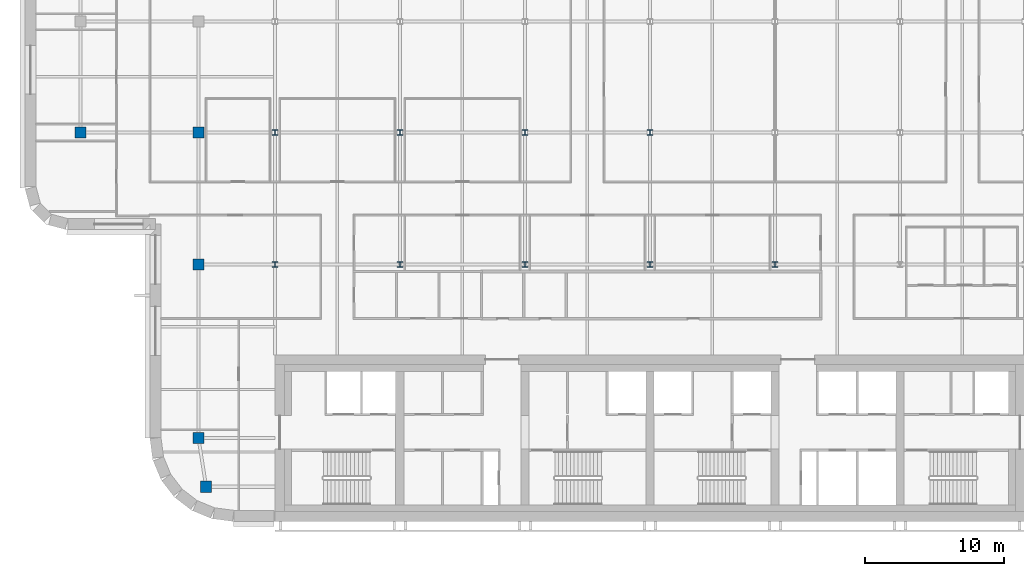
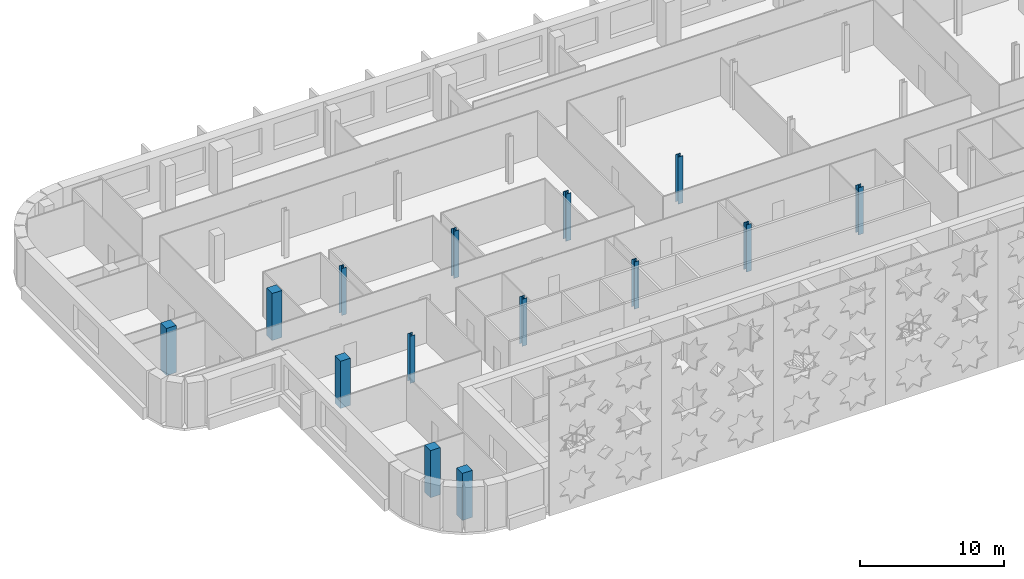
# One storey, part 1 of 18: 14 columns.
"""IFC4 building model written with IfcOpenShell, lengths in metres."""

from ifc_helpers import new_model, si_unit, direction, frame, origin, origin_2d, place, context, subcontext, project, spatial, rectangle, i_section, extrude, material, material_profile, profile_set, type_object, element, save


model = new_model("IFC4")

# Units and contexts
model_context = context("Model", 3, precision=1e-05, world=origin(), true_north=direction((0.0, 1.0)))
body_context = subcontext(model_context, "Body", "Model", "MODEL_VIEW")
ifc_project = project(units=[si_unit("LENGTHUNIT", "METRE"), si_unit("AREAUNIT", "SQUARE_METRE"), si_unit("VOLUMEUNIT", "CUBIC_METRE"), si_unit("PLANEANGLEUNIT", "RADIAN"), si_unit("MASSUNIT", "GRAM", prefix="KILO")], contexts=[model_context])

# Site, building, storey
site_placement = place(None, origin())
site = spatial("IfcSite", under=ifc_project, at=site_placement, CompositionType="ELEMENT")
building_placement = place(site_placement, origin())
building = spatial("IfcBuilding", under=site, at=building_placement, Name="Zellij Exchange Tower", CompositionType="ELEMENT")
storey_placement = place(building_placement, frame((0.0, 0.0, 228.5)))
storey = spatial("IfcBuildingStorey", under=building, at=storey_placement, Name="L53", CompositionType="ELEMENT", Elevation=228.5)

# Columns
ifc_material_1 = material(Name="Concrete C50/60", Category="concrete")
ifc_material_profile_1 = material_profile(ifc_material_1, rectangle(XDim=0.800048828125, YDim=0.800048828125, at=origin_2d()), Name="STR-COLUMN RC800x800 C50/60")
ifc_profile_set_1 = profile_set([ifc_material_profile_1], Name="Concrete C50/60")
column_type_1 = type_object("IfcColumnType", Name="STR-COLUMN RC800x800 C50/60", PredefinedType="COLUMN", material=ifc_profile_set_1)
for number, where, z_axis, x_axis, name in (
    (1, (-31.949951171875, -11.5, 0.0), (0.0, 0.0, 1.0), (1.0, 0.0, 0.0), "C15"),
    (2, (-32.5, -8.0, 0.0), (0.0, 0.0, 1.0), (1.0, 0.0, 0.0), "C15"),
    (3, (-32.5, 4.5, 0.0), (0.0, 0.0, 1.0), (1.0, 0.0, 0.0), "C15"),
    (4, (-41.0, 14.0, 0.0), (0.0, 0.0, 1.0), (1.0, 0.0, 0.0), "C15"),
    (5, (-32.5, 14.0, 0.0), (0.0, 0.0, 1.0), (1.0, 0.0, 0.0), "C15"),
):
    element("IfcColumn", number, at=place(storey_placement, frame(where, z_axis=z_axis, x_axis=x_axis)), inside=storey, type_object=column_type_1, Name=name, PredefinedType="COLUMN", context=body_context, shape_type="SweptSolid", body=[
        extrude(rectangle(XDim=0.800048828125, YDim=0.800048828125, at=origin_2d()), origin(), (0.0, 0.0, 1.0), 4.0),
    ])
ifc_material_2 = material(Name="Structural steel ASTM A992 Gr 50", Category="steel")
ifc_material_profile_2 = material_profile(ifc_material_2, i_section(OverallWidth=0.398681640625, OverallDepth=0.385986328125, WebThickness=0.02099609375, FlangeThickness=0.033203125, at=origin_2d()), Name="W14x176")
ifc_profile_set_2 = profile_set([ifc_material_profile_2], Name="Structural steel ASTM A992 Gr 50")
column_type_2 = type_object("IfcColumnType", Name="STR-COLUMN W14x176", PredefinedType="COLUMN", material=ifc_profile_set_2)
for number, where, z_axis, x_axis, name in (
    (6, (-27.0, 4.5, 0.0), (0.0, 0.0, 1.0), (1.0, 0.0, 0.0), "C2"),
    (7, (-18.0, 4.5, 0.0), (0.0, 0.0, 1.0), (1.0, 0.0, 0.0), "C2"),
    (8, (-9.0, 4.5, 0.0), (0.0, 0.0, 1.0), (1.0, 0.0, 0.0), "C2"),
    (9, (0.0, 4.5, 0.0), (0.0, 0.0, 1.0), (1.0, 0.0, 0.0), "C2"),
    (10, (9.0, 4.5, 0.0), (0.0, 0.0, 1.0), (1.0, 0.0, 0.0), "C2"),
    (11, (-27.0, 14.0, 0.0), (0.0, 0.0, 1.0), (1.0, 0.0, 0.0), "C2"),
    (12, (-18.0, 14.0, 0.0), (0.0, 0.0, 1.0), (1.0, 0.0, 0.0), "C2"),
    (13, (-9.0, 14.0, 0.0), (0.0, 0.0, 1.0), (1.0, 0.0, 0.0), "C2"),
    (14, (0.0, 14.0, 0.0), (0.0, 0.0, 1.0), (1.0, 0.0, 0.0), "C2"),
):
    element("IfcColumn", number, at=place(storey_placement, frame(where, z_axis=z_axis, x_axis=x_axis)), inside=storey, type_object=column_type_2, Name=name, PredefinedType="COLUMN", context=body_context, shape_type="SweptSolid", body=[
        extrude(i_section(OverallWidth=0.398681640625, OverallDepth=0.385986328125, WebThickness=0.02099609375, FlangeThickness=0.033203125, at=origin_2d()), origin(), (0.0, 0.0, 1.0), 4.0),
    ])

save(model, "model.ifc")
